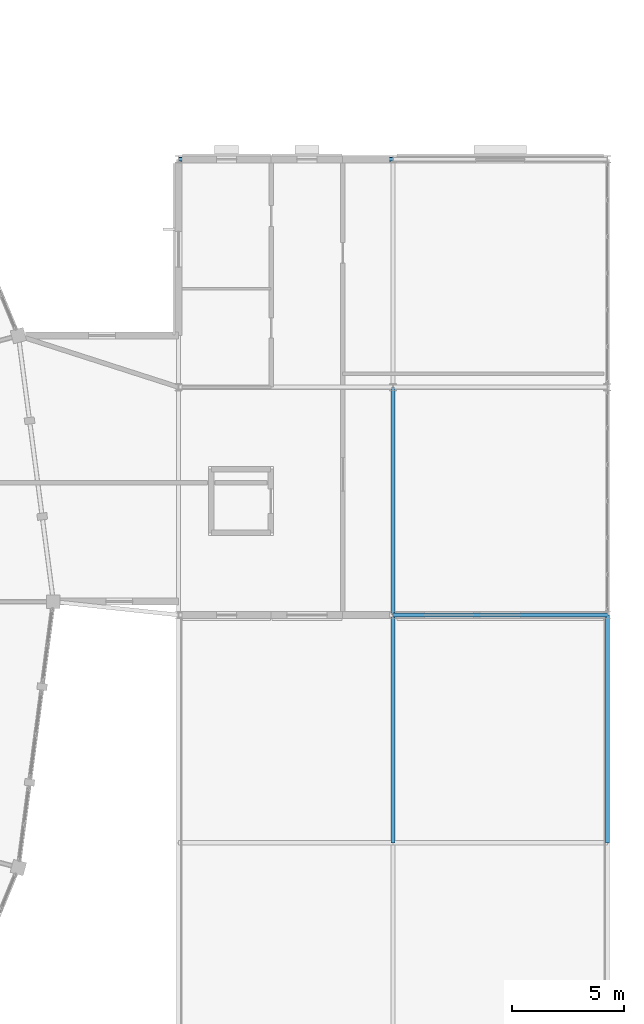
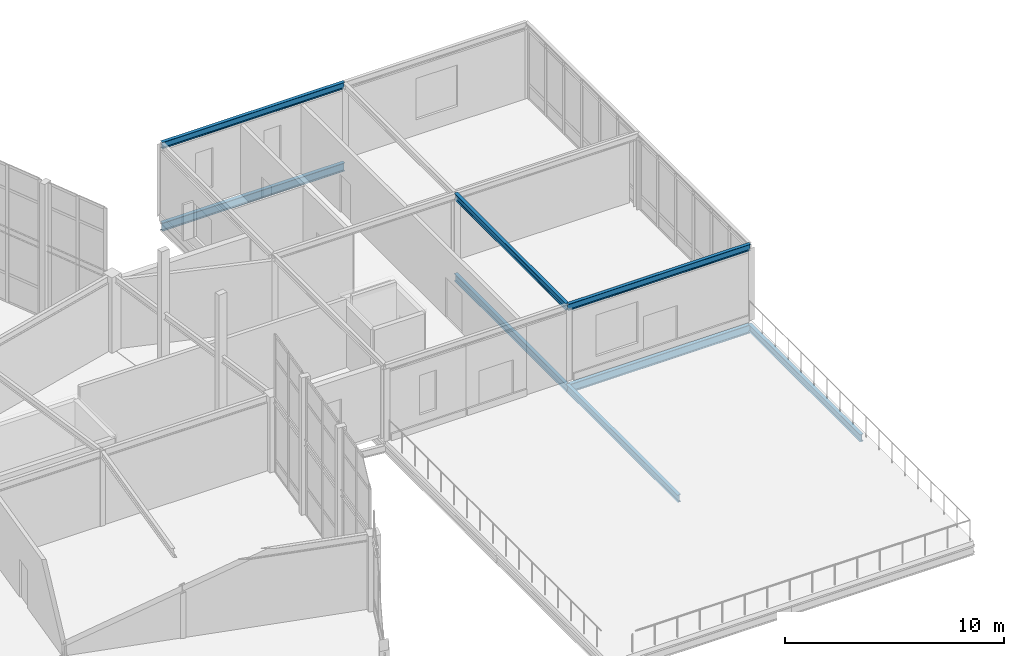
# One storey, part 127 of 185: 8 beams.
"""IFC4 building model written with IfcOpenShell, lengths in metres."""

from ifc_helpers import new_model, si_unit, direction, frame, origin, origin_2d, place, context, subcontext, project, spatial, i_section, extrude, material, material_profile, profile_set, type_object, element, save


model = new_model("IFC4")

# Units and contexts
model_context = context("Model", 3, precision=1e-05, world=origin(), true_north=direction((0.0, 1.0)))
body_context = subcontext(model_context, "Body", "Model", "MODEL_VIEW")
ifc_project = project(units=[si_unit("LENGTHUNIT", "METRE"), si_unit("AREAUNIT", "SQUARE_METRE"), si_unit("VOLUMEUNIT", "CUBIC_METRE"), si_unit("PLANEANGLEUNIT", "RADIAN"), si_unit("MASSUNIT", "GRAM", prefix="KILO")], contexts=[model_context])

# Site, building, storey
site_placement = place(None, origin())
site = spatial("IfcSite", under=ifc_project, at=site_placement, CompositionType="ELEMENT")
building_placement = place(site_placement, origin())
building = spatial("IfcBuilding", under=site, at=building_placement, Name="Vondelvale Polytechnic", CompositionType="ELEMENT")
storey_placement = place(building_placement, frame((0.0, 0.0, 9.60009765625)))
storey = spatial("IfcBuildingStorey", under=building, at=storey_placement, Name="L02", CompositionType="ELEMENT", Elevation=9.60009765625)

# Beams
ifc_material = material(Name="Steel 300PLUS (fy = 300 MPa)", Category="steel")
ifc_material_profile_1 = material_profile(ifc_material, i_section(OverallWidth=0.172119140625, OverallDepth=0.35888671875, WebThickness=0.008056640625, FlangeThickness=0.012939453125, FilletRadius=0.011474609375, at=origin_2d()), Name="360UB56.7")
ifc_profile_set_1 = profile_set([ifc_material_profile_1], Name="Steel 300PLUS (fy = 300 MPa)")
beam_type_1 = type_object("IfcBeamType", Name="BM-UB360H", PredefinedType="BEAM", material=ifc_profile_set_1)
beam_1_placement = place(storey_placement, frame((163.199951171875, 71.39990234375, 4.0205078125), z_axis=(1.0, 0.0, 0.0), x_axis=(0.0, 1.0, 0.0)))
element("IfcBeam", 1, at=beam_1_placement, inside=storey, type_object=beam_type_1, Name="L02 RM B-15", PredefinedType="BEAM", context=body_context, shape_type="SweptSolid", body=[
    extrude(i_section(OverallWidth=0.172119140625, OverallDepth=0.35888671875, WebThickness=0.008056640625, FlangeThickness=0.012939453125, FilletRadius=0.011474609375, at=origin_2d()), origin(), (0.0, 0.0, 1.0), 9.60009765625),
])
beam_2_placement = place(storey_placement, frame((153.60009765625, 91.800048828125, 4.0205078125), z_axis=(1.0, 0.0, 0.0), x_axis=(0.0, 1.0, 0.0)))
element("IfcBeam", 2, at=beam_2_placement, inside=storey, type_object=beam_type_1, Name="L02 RM B-15", PredefinedType="BEAM", context=body_context, shape_type="SweptSolid", body=[
    extrude(i_section(OverallWidth=0.172119140625, OverallDepth=0.35888671875, WebThickness=0.008056640625, FlangeThickness=0.012939453125, FilletRadius=0.011474609375, at=origin_2d()), origin(), (0.0, 0.0, 1.0), 9.599853515625),
])
beam_3_placement = place(storey_placement, frame((163.199951171875, 71.39990234375, 4.0205078125), z_axis=(0.0, 1.0, 0.0), x_axis=(-1.0, 0.0, 0.0)))
element("IfcBeam", 3, at=beam_3_placement, inside=storey, type_object=beam_type_1, Name="L02 RM B-15", PredefinedType="BEAM", context=body_context, shape_type="SweptSolid", body=[
    extrude(i_section(OverallWidth=0.172119140625, OverallDepth=0.35888671875, WebThickness=0.008056640625, FlangeThickness=0.012939453125, FilletRadius=0.011474609375, at=origin_2d()), origin(), (0.0, 0.0, 1.0), 10.2001953125),
])
ifc_material_profile_2 = material_profile(ifc_material, i_section(OverallWidth=0.177978515625, OverallDepth=0.406005859375, WebThickness=0.0078125, FlangeThickness=0.0126953125, FilletRadius=0.011474609375, at=origin_2d()), Name="410UB59.7")
ifc_profile_set_2 = profile_set([ifc_material_profile_2], Name="Steel 300PLUS (fy = 300 MPa)")
beam_type_2 = type_object("IfcBeamType", Name="BM-UB410", PredefinedType="BEAM", material=ifc_profile_set_2)
beam_4_placement = place(storey_placement, frame((163.199951171875, 61.199951171875, -0.463134765625), z_axis=(0.0, 1.0, 0.0), x_axis=(-1.0, 0.0, 0.0)))
element("IfcBeam", 4, at=beam_4_placement, inside=storey, type_object=beam_type_2, Name="L02 B B-14", PredefinedType="BEAM", context=body_context, shape_type="SweptSolid", body=[
    extrude(i_section(OverallWidth=0.177978515625, OverallDepth=0.406005859375, WebThickness=0.0078125, FlangeThickness=0.0126953125, FilletRadius=0.011474609375, at=origin_2d()), origin(), (0.0, 0.0, 1.0), 10.199951171875),
])
beam_5_placement = place(storey_placement, frame((163.199951171875, 71.39990234375, -0.483154296875), z_axis=(0.0, 1.0, 0.0), x_axis=(-1.0, 0.0, 0.0)))
element("IfcBeam", 5, at=beam_5_placement, inside=storey, type_object=beam_type_2, Name="L02 B B-14", PredefinedType="BEAM", context=body_context, shape_type="SweptSolid", body=[
    extrude(i_section(OverallWidth=0.177978515625, OverallDepth=0.406005859375, WebThickness=0.0078125, FlangeThickness=0.0126953125, FilletRadius=0.011474609375, at=origin_2d()), origin(), (0.0, 0.0, 1.0), 10.2001953125),
])
beam_6_placement = place(storey_placement, frame((172.800048828125, 61.199951171875, -0.463134765625), z_axis=(0.0, 1.0, 0.0), x_axis=(-1.0, 0.0, 0.0)))
element("IfcBeam", 6, at=beam_6_placement, inside=storey, type_object=beam_type_2, Name="L02 B B-14", PredefinedType="BEAM", context=body_context, shape_type="SweptSolid", body=[
    extrude(i_section(OverallWidth=0.177978515625, OverallDepth=0.406005859375, WebThickness=0.0078125, FlangeThickness=0.0126953125, FilletRadius=0.011474609375, at=origin_2d()), origin(), (0.0, 0.0, 1.0), 10.199951171875),
])
ifc_material_profile_3 = material_profile(ifc_material, i_section(OverallWidth=0.19091796875, OverallDepth=0.4599609375, WebThickness=0.010009765625, FlangeThickness=0.01611328125, FilletRadius=0.011474609375, at=origin_2d()), Name="460UB82.1")
ifc_profile_set_3 = profile_set([ifc_material_profile_3], Name="Steel 300PLUS (fy = 300 MPa)")
beam_type_3 = type_object("IfcBeamType", Name="BM-UB460H", PredefinedType="BEAM", material=ifc_profile_set_3)
beam_7_placement = place(storey_placement, frame((163.199951171875, 71.39990234375, -0.510009765625), z_axis=(1.0, 0.0, 0.0), x_axis=(0.0, 1.0, 0.0)))
element("IfcBeam", 7, at=beam_7_placement, inside=storey, type_object=beam_type_3, Name="L02 B B-12", PredefinedType="BEAM", context=body_context, shape_type="SweptSolid", body=[
    extrude(i_section(OverallWidth=0.19091796875, OverallDepth=0.4599609375, WebThickness=0.010009765625, FlangeThickness=0.01611328125, FilletRadius=0.011474609375, at=origin_2d()), origin(), (0.0, 0.0, 1.0), 9.60009765625),
])
beam_8_placement = place(storey_placement, frame((153.60009765625, 91.800048828125, -0.510009765625), z_axis=(1.0, 0.0, 0.0), x_axis=(0.0, 1.0, 0.0)))
element("IfcBeam", 8, at=beam_8_placement, inside=storey, type_object=beam_type_3, Name="L02 B B-12", PredefinedType="BEAM", context=body_context, shape_type="SweptSolid", body=[
    extrude(i_section(OverallWidth=0.19091796875, OverallDepth=0.4599609375, WebThickness=0.010009765625, FlangeThickness=0.01611328125, FilletRadius=0.011474609375, at=origin_2d()), origin(), (0.0, 0.0, 1.0), 9.599853515625),
])

save(model, "model.ifc")
